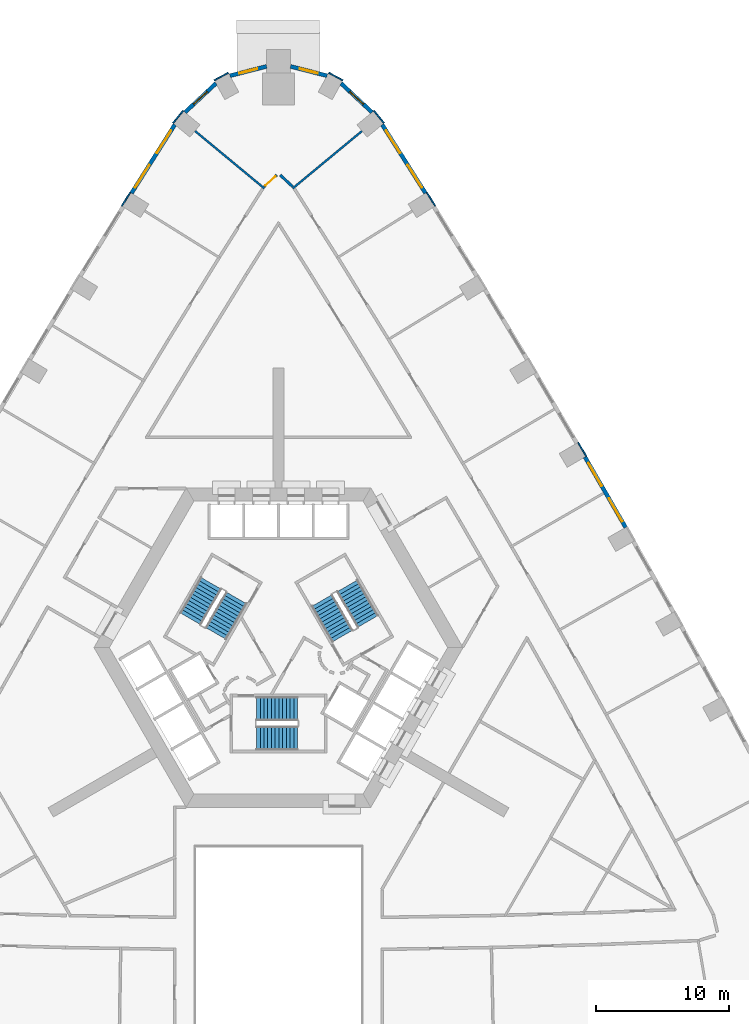
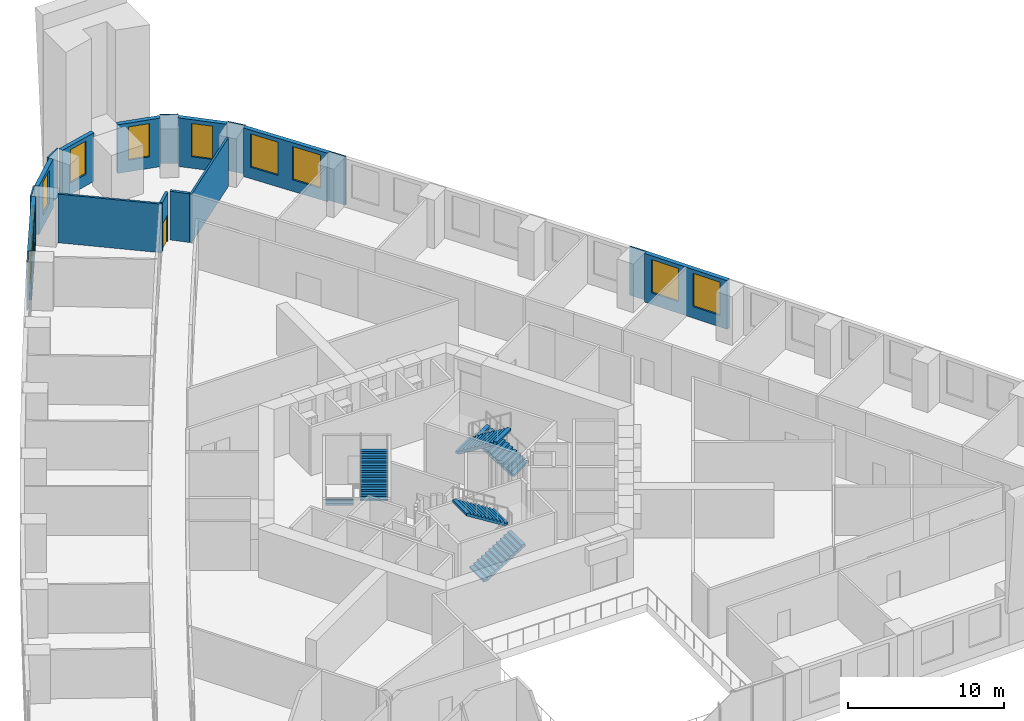
# One storey, part 12 of 15: 18 walls, 10 windows, 6 stair flights, 1 door, 11 openings, 3 elements without a shape of their own.
"""IFC4 building model written with IfcOpenShell, lengths in metres."""

from ifc_helpers import new_model, si_unit, direction, frame, frame_2d, origin, place, context, subcontext, project, spatial, polyline, rectangle, outline, extrude, material, layer, layer_set, type_object, element, fill, aggregate, save


model = new_model("IFC4")

# Units and contexts
model_context = context("Model", 3, precision=1e-05, world=origin(), true_north=direction((0.0, 1.0)))
body_context = subcontext(model_context, "Body", "Model", "MODEL_VIEW")
ifc_project = project(units=[si_unit("LENGTHUNIT", "METRE"), si_unit("AREAUNIT", "SQUARE_METRE"), si_unit("VOLUMEUNIT", "CUBIC_METRE"), si_unit("PLANEANGLEUNIT", "RADIAN"), si_unit("MASSUNIT", "GRAM", prefix="KILO")], contexts=[model_context])

# Site, building, storey
site_placement = place(None, origin())
site = spatial("IfcSite", under=ifc_project, at=site_placement, CompositionType="ELEMENT")
building_placement = place(site_placement, origin())
building = spatial("IfcBuilding", under=site, at=building_placement, Name="Entoto Arch Interchange Tower", CompositionType="ELEMENT")
storey_placement = place(building_placement, frame((0.0, 0.0, 35.0)))
storey = spatial("IfcBuildingStorey", under=building, at=storey_placement, Name="L06", CompositionType="ELEMENT", Elevation=35.0)

# Walls
ifc_material_1 = material(Name="Gypsum board partition on steel studs", Category="steel")
ifc_layer_1 = layer(ifc_material_1, 0.14990234375)
ifc_layer_set_1 = layer_set([ifc_layer_1], Name="Gypsum board partition on steel studs")
wall_type_1 = type_object("IfcWallType", Name="PARTITION 150", PredefinedType="PARTITIONING", material=ifc_layer_set_1)
for number, where, z_axis, x_axis, name in (
    (1, (1.06005859375, 36.97998046875, 0.0), (0.0, 0.0, 1.0), (0.770307911054, 0.6376721118, 0.0), "wall:L06:p135"),
    (2, (-1.06005859375, 36.97998046875, 0.0), (0.0, 0.0, 1.0), (-0.770307911054, 0.6376721118, 0.0), "wall:L06:p136"),
):
    element("IfcWall", number, at=place(storey_placement, frame(where, z_axis=z_axis, x_axis=x_axis)), inside=storey, type_object=wall_type_1, Name=name, PredefinedType="PARTITIONING", context=body_context, shape_type="SweptSolid", body=[
        extrude(rectangle(XDim=6.748046875, YDim=0.14990234375, at=frame_2d((3.3740234375, 0.0))), origin(), (0.0, 0.0, 1.0), 3.800048828125),
    ])

# Wall, opening, door
ifc_layer_2 = layer(ifc_material_1, 0.199951171875)
ifc_layer_set_2 = layer_set([ifc_layer_2], Name="Gypsum board partition on steel studs")
wall_type_2 = type_object("IfcWallType", Name="PARTITION 200", PredefinedType="PARTITIONING", material=ifc_layer_set_2)
wall_1_placement = place(storey_placement, frame((-1.06396484375, 37.112060546875, 0.0), z_axis=(0.0, 0.0, 1.0), x_axis=(0.730320833825, 0.683104296342, 0.0)))
wall_1 = element("IfcWall", 3, at=wall_1_placement, inside=storey, type_object=wall_type_2, Name="wall:L06:p053", PredefinedType="PARTITIONING", context=body_context, shape_type="SweptSolid", body=[
    extrude(rectangle(XDim=1.27197265625, YDim=0.199951171875, at=frame_2d((0.635986328125, 0.0))), origin(), (0.0, 0.0, 1.0), 3.800048828125),
])
opening_1_placement = place(wall_1_placement, frame((0.135986328125, 0.0, 0.0)))
opening_1 = element("IfcOpeningElement", 4, at=opening_1_placement, cuts=wall_1, Name="Opening L06-D11", PredefinedType="OPENING", context=body_context, shape_type="SweptSolid", body=[
    extrude(rectangle(XDim=1.0, YDim=2.10009765625, at=frame_2d((0.5, 1.050048828125))), frame((0.0, 0.10986328125, 0.0), z_axis=(0.0, -1.0, 0.0), x_axis=(1.0, 0.0, 0.0)), (0.0, 0.0, 1.0), 0.219970703125),
])
ifc_material_2 = material(Name="Timber door leaf in Steel S235 frame", Category="steel")
door_type = type_object("IfcDoorType", Name="DOOR DS-10 1000x2100", OperationType="SINGLE_SWING_LEFT", PredefinedType="DOOR", material=ifc_material_2)
door_placement = place(opening_1_placement, origin())
door = element("IfcDoor", 5, at=door_placement, inside=storey, type_object=door_type, Name="door:L06:11", OperationType="SINGLE_SWING_RIGHT", OverallHeight=2.10009765625, OverallWidth=1.0, PredefinedType="DOOR", context=body_context, shape_type="SweptSolid", body=[
    extrude(rectangle(XDim=1.0, YDim=2.10009765625, at=frame_2d((0.5, 1.050048828125))), frame((0.0, 0.02490234375, 0.0), z_axis=(0.0, -1.0, 0.0), x_axis=(1.0, 0.0, 0.0)), (0.0, 0.0, 1.0), 0.050048828125),
])
fill(opening_1, door)

# Wall
wall_2_placement = place(storey_placement, frame((0.135009765625, 37.98095703125, 0.0), z_axis=(0.0, 0.0, 1.0), x_axis=(0.730320833825, -0.683104296342, 0.0)))
element("IfcWall", 6, at=wall_2_placement, inside=storey, type_object=wall_type_2, Name="wall:L06:p054", PredefinedType="PARTITIONING", context=body_context, shape_type="SweptSolid", body=[
    extrude(rectangle(XDim=1.27197265625, YDim=0.199951171875, at=frame_2d((0.635986328125, 0.0))), origin(), (0.0, 0.0, 1.0), 3.800048828125),
])

# Wall, openings, windows
ifc_material_3 = material(Name="Welded tuff (ignimbrite) cladding, warm buff", Category="masonry")
ifc_layer_3 = layer(ifc_material_3, 0.300048828125)
ifc_layer_set_3 = layer_set([ifc_layer_3], Name="Welded tuff (ignimbrite) cladding, warm buff")
wall_type_3 = type_object("IfcWallType", Name="STONE INFILL WALL 300", PredefinedType="STANDARD", material=ifc_layer_set_3)
wall_3_placement = place(storey_placement, frame((26.072998046875, 11.52197265625, 0.0), z_axis=(0.0, 0.0, 1.0), x_axis=(-0.499976985038, 0.866038691071, 0.0)))
wall_3 = element("IfcWall", 7, at=wall_3_placement, inside=storey, type_object=wall_type_3, Name="Facade wall NE-05 L06", PredefinedType="STANDARD", context=body_context, shape_type="SweptSolid", body=[
    extrude(rectangle(XDim=6.116455078125, YDim=0.300048828125, at=frame_2d((3.05810546875, 0.0))), origin(), (0.0, 0.0, 1.0), 3.800048828125),
])
opening_2_placement = place(wall_3_placement, frame((0.529052734375, 0.0, 0.89990234375)))
opening_2 = element("IfcOpeningElement", 8, at=opening_2_placement, cuts=wall_3, Name="Opening WO-C", PredefinedType="OPENING", context=body_context, shape_type="SweptSolid", body=[
    extrude(rectangle(XDim=2.0, YDim=2.60009765625, at=frame_2d((1.0, 1.300048828125))), frame((0.0, 0.16015625, 0.0), z_axis=(0.0, -1.0, 0.0), x_axis=(1.0, 0.0, 0.0)), (0.0, 0.0, 1.0), 0.320068359375),
])
opening_3_placement = place(wall_3_placement, frame((3.5869140625, 0.0, 0.89990234375)))
opening_3 = element("IfcOpeningElement", 9, at=opening_3_placement, cuts=wall_3, Name="Opening WO-C", PredefinedType="OPENING", context=body_context, shape_type="SweptSolid", body=[
    extrude(rectangle(XDim=2.0, YDim=2.60009765625, at=frame_2d((1.0, 1.300048828125))), frame((0.0, 0.16015625, 0.0), z_axis=(0.0, -1.0, 0.0), x_axis=(1.0, 0.0, 0.0)), (0.0, 0.0, 1.0), 0.320068359375),
])
ifc_material_4 = material(Name="Clear glass, low-e double glazed", Category="glass")
window_type_1 = type_object("IfcWindowType", Name="WINDOW WO-C 2000x2600", PartitioningType="DOUBLE_PANEL_VERTICAL", PredefinedType="WINDOW", material=ifc_material_4)
window_1_placement = place(opening_2_placement, origin())
window_1 = element("IfcWindow", 10, at=window_1_placement, inside=storey, type_object=window_type_1, Name="Window WO-C NE-05 L06", OverallHeight=2.60009765625, OverallWidth=2.0, PartitioningType="SINGLE_PANEL", PredefinedType="WINDOW", context=body_context, shape_type="SweptSolid", body=[
    extrude(rectangle(XDim=2.0, YDim=2.60009765625, at=frame_2d((1.0, 1.300048828125))), frame((0.0, 0.030029296875, 0.0), z_axis=(0.0, -1.0, 0.0), x_axis=(1.0, 0.0, 0.0)), (0.0, 0.0, 1.0), 0.06005859375),
])
fill(opening_2, window_1)
window_2_placement = place(opening_3_placement, origin())
window_2 = element("IfcWindow", 11, at=window_2_placement, inside=storey, type_object=window_type_1, Name="Window WO-C NE-05 L06", OverallHeight=2.60009765625, OverallWidth=2.0, PartitioningType="SINGLE_PANEL", PredefinedType="WINDOW", context=body_context, shape_type="SweptSolid", body=[
    extrude(rectangle(XDim=2.0, YDim=2.60009765625, at=frame_2d((1.0, 1.300048828125))), frame((0.0, 0.030029296875, 0.0), z_axis=(0.0, -1.0, 0.0), x_axis=(1.0, 0.0, 0.0)), (0.0, 0.0, 1.0), 0.06005859375),
])
fill(opening_3, window_2)

wall_4_placement = place(storey_placement, frame((11.044921875, 36.623046875, 0.0), z_axis=(0.0, 0.0, 1.0), x_axis=(-0.53437888117, 0.845245059944, 0.0)))
wall_4 = element("IfcWall", 12, at=wall_4_placement, inside=storey, type_object=wall_type_3, Name="Facade wall NE-09 L06", PredefinedType="STANDARD", context=body_context, shape_type="SweptSolid", body=[
    extrude(rectangle(XDim=6.0927734375, YDim=0.300048828125, at=frame_2d((3.04638671875, 0.0))), origin(), (0.0, 0.0, 1.0), 3.800048828125),
])
opening_4_placement = place(wall_4_placement, frame((0.52294921875, 0.0, 0.89990234375)))
opening_4 = element("IfcOpeningElement", 13, at=opening_4_placement, cuts=wall_4, Name="Opening WO-C", PredefinedType="OPENING", context=body_context, shape_type="SweptSolid", body=[
    extrude(rectangle(XDim=2.0, YDim=2.60009765625, at=frame_2d((1.0, 1.300048828125))), frame((0.0, 0.16015625, 0.0), z_axis=(0.0, -1.0, 0.0), x_axis=(1.0, 0.0, 0.0)), (0.0, 0.0, 1.0), 0.320068359375),
])
opening_5_placement = place(wall_4_placement, frame((3.570068359375, 0.0, 0.89990234375)))
opening_5 = element("IfcOpeningElement", 14, at=opening_5_placement, cuts=wall_4, Name="Opening WO-C", PredefinedType="OPENING", context=body_context, shape_type="SweptSolid", body=[
    extrude(rectangle(XDim=2.0, YDim=2.60009765625, at=frame_2d((1.0, 1.300048828125))), frame((0.0, 0.16015625, 0.0), z_axis=(0.0, -1.0, 0.0), x_axis=(1.0, 0.0, 0.0)), (0.0, 0.0, 1.0), 0.320068359375),
])
window_3_placement = place(opening_4_placement, origin())
window_3 = element("IfcWindow", 15, at=window_3_placement, inside=storey, type_object=window_type_1, Name="Window WO-C NE-09 L06", OverallHeight=2.60009765625, OverallWidth=2.0, PartitioningType="SINGLE_PANEL", PredefinedType="WINDOW", context=body_context, shape_type="SweptSolid", body=[
    extrude(rectangle(XDim=2.0, YDim=2.60009765625, at=frame_2d((1.0, 1.300048828125))), frame((0.0, 0.030029296875, 0.0), z_axis=(0.0, -1.0, 0.0), x_axis=(1.0, 0.0, 0.0)), (0.0, 0.0, 1.0), 0.06005859375),
])
fill(opening_4, window_3)
window_4_placement = place(opening_5_placement, origin())
window_4 = element("IfcWindow", 16, at=window_4_placement, inside=storey, type_object=window_type_1, Name="Window WO-C NE-09 L06", OverallHeight=2.60009765625, OverallWidth=2.0, PartitioningType="SINGLE_PANEL", PredefinedType="WINDOW", context=body_context, shape_type="SweptSolid", body=[
    extrude(rectangle(XDim=2.0, YDim=2.60009765625, at=frame_2d((1.0, 1.300048828125))), frame((0.0, 0.030029296875, 0.0), z_axis=(0.0, -1.0, 0.0), x_axis=(1.0, 0.0, 0.0)), (0.0, 0.0, 1.0), 0.06005859375),
])
fill(opening_5, window_4)

# Wall, opening, window
wall_5_placement = place(storey_placement, frame((7.02490234375, 42.696044921875, 0.0), z_axis=(0.0, 0.0, 1.0), x_axis=(-0.730600984463, 0.682804658377, 0.0)))
wall_5 = element("IfcWall", 17, at=wall_5_placement, inside=storey, type_object=wall_type_3, Name="Facade wall N-01 L06", PredefinedType="STANDARD", context=body_context, shape_type="SweptSolid", body=[
    extrude(rectangle(XDim=3.18212890625, YDim=0.300048828125, at=frame_2d((1.591064453125, 0.0))), origin(), (0.0, 0.0, 1.0), 3.800048828125),
])
opening_6_placement = place(wall_5_placement, frame((0.89111328125, 0.0, 0.89990234375)))
opening_6 = element("IfcOpeningElement", 18, at=opening_6_placement, cuts=wall_5, Name="Opening WO-B", PredefinedType="OPENING", context=body_context, shape_type="SweptSolid", body=[
    extrude(rectangle(XDim=1.39990234375, YDim=2.60009765625, at=frame_2d((0.699951171875, 1.300048828125))), frame((0.0, 0.16015625, 0.0), z_axis=(0.0, -1.0, 0.0), x_axis=(1.0, 0.0, 0.0)), (0.0, 0.0, 1.0), 0.320068359375),
])
window_type_2 = type_object("IfcWindowType", Name="WINDOW WO-B 1400x2600", PartitioningType="DOUBLE_PANEL_VERTICAL", PredefinedType="WINDOW", material=ifc_material_4)
window_5_placement = place(opening_6_placement, origin())
window_5 = element("IfcWindow", 19, at=window_5_placement, inside=storey, type_object=window_type_2, Name="Window WO-B N-01 L06", OverallHeight=2.60009765625, OverallWidth=1.39990234375, PartitioningType="SINGLE_PANEL", PredefinedType="WINDOW", context=body_context, shape_type="SweptSolid", body=[
    extrude(rectangle(XDim=1.39990234375, YDim=2.60009765625, at=frame_2d((0.699951171875, 1.300048828125))), frame((0.0, 0.030029296875, 0.0), z_axis=(0.0, -1.0, 0.0), x_axis=(1.0, 0.0, 0.0)), (0.0, 0.0, 1.0), 0.06005859375),
])
fill(opening_6, window_5)

wall_6_placement = place(storey_placement, frame((3.64990234375, 45.444091796875, 0.0), z_axis=(0.0, 0.0, 1.0), x_axis=(-0.96879262207, 0.247872659694, 0.0)))
wall_6 = element("IfcWall", 20, at=wall_6_placement, inside=storey, type_object=wall_type_3, Name="Facade wall N-02 L06", PredefinedType="STANDARD", context=body_context, shape_type="SweptSolid", body=[
    extrude(rectangle(XDim=2.839599609375, YDim=0.300048828125, at=frame_2d((1.419921875, 0.0))), origin(), (0.0, 0.0, 1.0), 3.800048828125),
])
opening_7_placement = place(wall_6_placement, frame((0.719970703125, 0.0, 0.89990234375)))
opening_7 = element("IfcOpeningElement", 21, at=opening_7_placement, cuts=wall_6, Name="Opening WO-B", PredefinedType="OPENING", context=body_context, shape_type="SweptSolid", body=[
    extrude(rectangle(XDim=1.39990234375, YDim=2.60009765625, at=frame_2d((0.699951171875, 1.300048828125))), frame((0.0, 0.16015625, 0.0), z_axis=(0.0, -1.0, 0.0), x_axis=(1.0, 0.0, 0.0)), (0.0, 0.0, 1.0), 0.320068359375),
])
window_6_placement = place(opening_7_placement, origin())
window_6 = element("IfcWindow", 22, at=window_6_placement, inside=storey, type_object=window_type_2, Name="Window WO-B N-02 L06", OverallHeight=2.60009765625, OverallWidth=1.39990234375, PartitioningType="SINGLE_PANEL", PredefinedType="WINDOW", context=body_context, shape_type="SweptSolid", body=[
    extrude(rectangle(XDim=1.39990234375, YDim=2.60009765625, at=frame_2d((0.699951171875, 1.300048828125))), frame((0.0, 0.030029296875, 0.0), z_axis=(0.0, -1.0, 0.0), x_axis=(1.0, 0.0, 0.0)), (0.0, 0.0, 1.0), 0.06005859375),
])
fill(opening_7, window_6)

wall_7_placement = place(storey_placement, frame((-0.89892578125, 46.14794921875, 0.0), z_axis=(0.0, 0.0, 1.0), x_axis=(-0.96879262207, -0.247872659694, 0.0)))
wall_7 = element("IfcWall", 23, at=wall_7_placement, inside=storey, type_object=wall_type_3, Name="Facade wall N-03 L06", PredefinedType="STANDARD", context=body_context, shape_type="SweptSolid", body=[
    extrude(rectangle(XDim=2.839599609375, YDim=0.300048828125, at=frame_2d((1.419921875, 0.0))), origin(), (0.0, 0.0, 1.0), 3.800048828125),
])
opening_8_placement = place(wall_7_placement, frame((0.719970703125, 0.0, 0.89990234375)))
opening_8 = element("IfcOpeningElement", 24, at=opening_8_placement, cuts=wall_7, Name="Opening WO-B", PredefinedType="OPENING", context=body_context, shape_type="SweptSolid", body=[
    extrude(rectangle(XDim=1.39990234375, YDim=2.60009765625, at=frame_2d((0.699951171875, 1.300048828125))), frame((0.0, 0.16015625, 0.0), z_axis=(0.0, -1.0, 0.0), x_axis=(1.0, 0.0, 0.0)), (0.0, 0.0, 1.0), 0.320068359375),
])
window_7_placement = place(opening_8_placement, origin())
window_7 = element("IfcWindow", 25, at=window_7_placement, inside=storey, type_object=window_type_2, Name="Window WO-B N-03 L06", OverallHeight=2.60009765625, OverallWidth=1.39990234375, PartitioningType="SINGLE_PANEL", PredefinedType="WINDOW", context=body_context, shape_type="SweptSolid", body=[
    extrude(rectangle(XDim=1.39990234375, YDim=2.60009765625, at=frame_2d((0.699951171875, 1.300048828125))), frame((0.0, 0.030029296875, 0.0), z_axis=(0.0, -1.0, 0.0), x_axis=(1.0, 0.0, 0.0)), (0.0, 0.0, 1.0), 0.06005859375),
])
fill(opening_8, window_7)

wall_8_placement = place(storey_placement, frame((-4.699951171875, 44.868896484375, 0.0), z_axis=(0.0, 0.0, 1.0), x_axis=(-0.730600984463, -0.682804658377, 0.0)))
wall_8 = element("IfcWall", 26, at=wall_8_placement, inside=storey, type_object=wall_type_3, Name="Facade wall N-04 L06", PredefinedType="STANDARD", context=body_context, shape_type="SweptSolid", body=[
    extrude(rectangle(XDim=3.18212890625, YDim=0.300048828125, at=frame_2d((1.591064453125, 0.0))), origin(), (0.0, 0.0, 1.0), 3.800048828125),
])
opening_9_placement = place(wall_8_placement, frame((0.89111328125, 0.0, 0.89990234375)))
opening_9 = element("IfcOpeningElement", 27, at=opening_9_placement, cuts=wall_8, Name="Opening WO-B", PredefinedType="OPENING", context=body_context, shape_type="SweptSolid", body=[
    extrude(rectangle(XDim=1.39990234375, YDim=2.60009765625, at=frame_2d((0.699951171875, 1.300048828125))), frame((0.0, 0.16015625, 0.0), z_axis=(0.0, -1.0, 0.0), x_axis=(1.0, 0.0, 0.0)), (0.0, 0.0, 1.0), 0.320068359375),
])
window_8_placement = place(opening_9_placement, origin())
window_8 = element("IfcWindow", 28, at=window_8_placement, inside=storey, type_object=window_type_2, Name="Window WO-B N-04 L06", OverallHeight=2.60009765625, OverallWidth=1.39990234375, PartitioningType="SINGLE_PANEL", PredefinedType="WINDOW", context=body_context, shape_type="SweptSolid", body=[
    extrude(rectangle(XDim=1.39990234375, YDim=2.60009765625, at=frame_2d((0.699951171875, 1.300048828125))), frame((0.0, 0.030029296875, 0.0), z_axis=(0.0, -1.0, 0.0), x_axis=(1.0, 0.0, 0.0)), (0.0, 0.0, 1.0), 0.06005859375),
])
fill(opening_9, window_8)

# Wall, openings, windows
wall_9_placement = place(storey_placement, frame((-7.7890625, 41.77294921875, 0.0), z_axis=(0.0, 0.0, 1.0), x_axis=(-0.53437888117, -0.845245059944, 0.0)))
wall_9 = element("IfcWall", 29, at=wall_9_placement, inside=storey, type_object=wall_type_3, Name="Facade wall NW-01 L06", PredefinedType="STANDARD", context=body_context, shape_type="SweptSolid", body=[
    extrude(rectangle(XDim=6.0927734375, YDim=0.300048828125, at=frame_2d((3.04638671875, 0.0))), origin(), (0.0, 0.0, 1.0), 3.800048828125),
])
opening_10_placement = place(wall_9_placement, frame((0.52294921875, 0.0, 0.89990234375)))
opening_10 = element("IfcOpeningElement", 30, at=opening_10_placement, cuts=wall_9, Name="Opening WO-C", PredefinedType="OPENING", context=body_context, shape_type="SweptSolid", body=[
    extrude(rectangle(XDim=2.0, YDim=2.60009765625, at=frame_2d((1.0, 1.300048828125))), frame((0.0, 0.16015625, 0.0), z_axis=(0.0, -1.0, 0.0), x_axis=(1.0, 0.0, 0.0)), (0.0, 0.0, 1.0), 0.320068359375),
])
opening_11_placement = place(wall_9_placement, frame((3.570068359375, 0.0, 0.89990234375)))
opening_11 = element("IfcOpeningElement", 31, at=opening_11_placement, cuts=wall_9, Name="Opening WO-C", PredefinedType="OPENING", context=body_context, shape_type="SweptSolid", body=[
    extrude(rectangle(XDim=2.0, YDim=2.60009765625, at=frame_2d((1.0, 1.300048828125))), frame((0.0, 0.16015625, 0.0), z_axis=(0.0, -1.0, 0.0), x_axis=(1.0, 0.0, 0.0)), (0.0, 0.0, 1.0), 0.320068359375),
])
window_9_placement = place(opening_10_placement, origin())
window_9 = element("IfcWindow", 32, at=window_9_placement, inside=storey, type_object=window_type_1, Name="Window WO-C NW-01 L06", OverallHeight=2.60009765625, OverallWidth=2.0, PartitioningType="SINGLE_PANEL", PredefinedType="WINDOW", context=body_context, shape_type="SweptSolid", body=[
    extrude(rectangle(XDim=2.0, YDim=2.60009765625, at=frame_2d((1.0, 1.300048828125))), frame((0.0, 0.030029296875, 0.0), z_axis=(0.0, -1.0, 0.0), x_axis=(1.0, 0.0, 0.0)), (0.0, 0.0, 1.0), 0.06005859375),
])
fill(opening_10, window_9)
window_10_placement = place(opening_11_placement, origin())
window_10 = element("IfcWindow", 33, at=window_10_placement, inside=storey, type_object=window_type_1, Name="Window WO-C NW-01 L06", OverallHeight=2.60009765625, OverallWidth=2.0, PartitioningType="SINGLE_PANEL", PredefinedType="WINDOW", context=body_context, shape_type="SweptSolid", body=[
    extrude(rectangle(XDim=2.0, YDim=2.60009765625, at=frame_2d((1.0, 1.300048828125))), frame((0.0, 0.030029296875, 0.0), z_axis=(0.0, -1.0, 0.0), x_axis=(1.0, 0.0, 0.0)), (0.0, 0.0, 1.0), 0.06005859375),
])
fill(opening_11, window_10)

# Walls
ifc_layer_4 = layer(ifc_material_3, 0.10009765625)
ifc_layer_set_4 = layer_set([ifc_layer_4], Name="Welded tuff (ignimbrite) cladding, warm buff")
wall_type_4 = type_object("IfcWallType", Name="STONE PIER CLADDING 100", PredefinedType="STANDARD", material=ifc_layer_set_4)
for number, where, z_axis, x_axis, name in (
    (34, (4.824951171875, 45.094970703125, 0.0), (0.0, 0.0, 1.0), (-0.877155474831, 0.480206489934, 0.0), "Stone pier N1 L06"),
    (35, (-3.77294921875, 45.6708984375, 0.0), (0.0, 0.0, 1.0), (-0.877155474831, -0.480206489934, 0.0), "Stone pier N3 L06"),
):
    element("IfcWall", number, at=place(storey_placement, frame(where, z_axis=z_axis, x_axis=x_axis)), inside=storey, type_object=wall_type_4, Name=name, PredefinedType="STANDARD", context=body_context, shape_type="SweptSolid", body=[
        extrude(rectangle(XDim=1.19921875, YDim=0.10009765625, at=frame_2d((0.599609375, 0.0))), origin(), (0.0, 0.0, 1.0), 3.800048828125),
    ])
wall_10_placement = place(storey_placement, frame((23.10400390625, 16.8701171875, 0.0), z_axis=(0.0, 0.0, 1.0), x_axis=(-0.504313844903, 0.863520437418, 0.0)))
element("IfcWall", 36, at=wall_10_placement, inside=storey, type_object=wall_type_4, Name="Stone pier NE06 L06", PredefinedType="STANDARD", context=body_context, shape_type="SweptSolid", body=[
    extrude(rectangle(XDim=1.19970703125, YDim=0.10009765625, at=frame_2d((0.599853515625, 0.0))), origin(), (0.0, 0.0, 1.0), 3.800048828125),
])
for number, where, z_axis, x_axis, name in (
    (37, (11.76806640625, 35.660888671875, 0.0), (0.0, 0.0, 1.0), (-0.53018187123, 0.847883944546, 0.0), "Stone pier NE09 L06"),
    (38, (7.927001953125, 41.885986328125, 0.0), (0.0, 0.0, 1.0), (-0.637638520791, 0.770335716947, 0.0), "Stone pier NE10 L06"),
    (39, (-7.162109375, 42.81005859375, 0.0), (0.0, 0.0, 1.0), (-0.637638520791, -0.770335716947, 0.0), "Stone pier NW01 L06"),
    (40, (-11.132080078125, 36.677978515625, 0.0), (0.0, 0.0, 1.0), (-0.53018187123, -0.847883944546, 0.0), "Stone pier NW02 L06"),
):
    element("IfcWall", number, at=place(storey_placement, frame(where, z_axis=z_axis, x_axis=x_axis)), inside=storey, type_object=wall_type_4, Name=name, PredefinedType="STANDARD", context=body_context, shape_type="SweptSolid", body=[
        extrude(rectangle(XDim=1.199462890625, YDim=0.10009765625, at=frame_2d((0.599609375, 0.0))), origin(), (0.0, 0.0, 1.0), 3.800048828125),
    ])

# Stair, stair flights
ifc_material_5 = material(Name="Concrete C40/50", Category="concrete")
stair_type = type_object("IfcStairType", Name="EXIT STAIR RC 1800", PredefinedType="HALF_TURN_STAIR", material=ifc_material_5)
stair_1_placement = place(storey_placement, origin())
stair_1 = element("IfcStair", 41, at=stair_1_placement, inside=storey, type_object=stair_type, Name="L06 Exit stair S", PredefinedType="HALF_TURN_STAIR")
stair_flight_type = type_object("IfcStairFlightType", Name="EXIT STAIR FLIGHT RC 1800", PredefinedType="STRAIGHT", material=ifc_material_5)
stair_flight_1_placement = place(storey_placement, frame((-1.64990234375, -4.300048828125, 0.0), z_axis=(0.0, 0.0, 1.0), x_axis=(1.0, 0.0, 0.0)))
stair_flight_1 = element("IfcStairFlight", 42, at=stair_flight_1_placement, type_object=stair_flight_type, Name="ST-S flight 1", NumberOfRisers=12, NumberOfTreads=11, PredefinedType="STRAIGHT", RiserHeight=0.175, TreadLength=0.28, context=body_context, shape_type="SweptSolid", body=[
    extrude(outline(polyline([(-0.0029296875, 0.0), (-0.0029296875, 0.175048828125), (0.280029296875, 0.175048828125), (0.280029296875, 0.35009765625), (0.56005859375, 0.35009765625), (0.56005859375, 0.52490234375), (0.840087890625, 0.52490234375), (0.840087890625, 0.699951171875), (1.1201171875, 0.699951171875), (1.1201171875, 0.875), (1.39990234375, 0.875), (1.39990234375, 1.050048828125), (1.679931640625, 1.050048828125), (1.679931640625, 1.22509765625), (1.9599609375, 1.22509765625), (1.9599609375, 1.39990234375), (2.239990234375, 1.39990234375), (2.239990234375, 1.574951171875), (2.52001953125, 1.574951171875), (2.52001953125, 1.75), (2.800048828125, 1.75), (2.800048828125, 1.925048828125), (3.080078125, 1.925048828125), (3.0830078125, 1.925048828125), (3.0830078125, 1.75), (0.28271484375, 0.0), (-0.0029296875, 0.0)])), frame((0.0, 0.89990234375, 0.0), z_axis=(0.0, -1.0, 0.0), x_axis=(1.0, 0.0, 0.0)), (0.0, 0.0, 1.0), 1.800048828125),
])
stair_flight_2_placement = place(storey_placement, frame((1.429931640625, -2.10009765625, 2.10009765625), z_axis=(0.0, 0.0, 1.0), x_axis=(-1.0, 0.0, 0.0)))
stair_flight_2 = element("IfcStairFlight", 43, at=stair_flight_2_placement, type_object=stair_flight_type, Name="ST-S flight 2", NumberOfRisers=12, NumberOfTreads=11, PredefinedType="STRAIGHT", RiserHeight=0.175, TreadLength=0.28, context=body_context, shape_type="SweptSolid", body=[
    extrude(outline(polyline([(-0.0029296875, 0.0), (-0.0029296875, 0.175048828125), (0.280029296875, 0.175048828125), (0.280029296875, 0.35009765625), (0.56005859375, 0.35009765625), (0.56005859375, 0.52490234375), (0.840087890625, 0.52490234375), (0.840087890625, 0.699951171875), (1.1201171875, 0.699951171875), (1.1201171875, 0.875), (1.39990234375, 0.875), (1.39990234375, 1.050048828125), (1.679931640625, 1.050048828125), (1.679931640625, 1.22509765625), (1.9599609375, 1.22509765625), (1.9599609375, 1.39990234375), (2.239990234375, 1.39990234375), (2.239990234375, 1.574951171875), (2.52001953125, 1.574951171875), (2.52001953125, 1.75), (2.800048828125, 1.75), (2.800048828125, 1.925048828125), (3.080078125, 1.925048828125), (3.0830078125, 1.925048828125), (3.0830078125, 1.75), (0.28271484375, 0.0), (-0.0029296875, 0.0)])), frame((0.0, 0.89990234375, 0.0), z_axis=(0.0, -1.0, 0.0), x_axis=(1.0, 0.0, 0.0)), (0.0, 0.0, 1.0), 1.800048828125),
])
aggregate(stair_1, [stair_flight_1, stair_flight_2])

stair_2_placement = place(storey_placement, origin())
stair_2 = element("IfcStair", 44, at=stair_2_placement, inside=storey, type_object=stair_type, Name="L06 Exit stair NE", PredefinedType="HALF_TURN_STAIR")
stair_flight_3_placement = place(storey_placement, frame((6.7138671875, 4.470947265625, 0.0), z_axis=(0.0, 0.0, 1.0), x_axis=(-0.5, 0.866025403784, 0.0)))
stair_flight_3 = element("IfcStairFlight", 45, at=stair_flight_3_placement, type_object=stair_flight_type, Name="ST-NE flight 1", NumberOfRisers=12, NumberOfTreads=11, PredefinedType="STRAIGHT", RiserHeight=0.175, TreadLength=0.28, context=body_context, shape_type="SweptSolid", body=[
    extrude(outline(polyline([(-0.0029296875, 0.0), (-0.0029296875, 0.175048828125), (0.280029296875, 0.175048828125), (0.280029296875, 0.35009765625), (0.56005859375, 0.35009765625), (0.56005859375, 0.52490234375), (0.840087890625, 0.52490234375), (0.840087890625, 0.699951171875), (1.1201171875, 0.699951171875), (1.1201171875, 0.875), (1.39990234375, 0.875), (1.39990234375, 1.050048828125), (1.679931640625, 1.050048828125), (1.679931640625, 1.22509765625), (1.9599609375, 1.22509765625), (1.9599609375, 1.39990234375), (2.239990234375, 1.39990234375), (2.239990234375, 1.574951171875), (2.52001953125, 1.574951171875), (2.52001953125, 1.75), (2.800048828125, 1.75), (2.800048828125, 1.925048828125), (3.080078125, 1.925048828125), (3.0830078125, 1.925048828125), (3.0830078125, 1.75), (0.28271484375, 0.0), (-0.0029296875, 0.0)])), frame((0.0, 0.89990234375, 0.0), z_axis=(0.0, -1.0, 0.0), x_axis=(1.0, 0.0, 0.0)), (0.0, 0.0, 1.0), 1.800048828125),
])
stair_flight_4_placement = place(storey_placement, frame((3.268798828125, 6.038330078125, 2.10009765625), z_axis=(0.0, 0.0, 1.0), x_axis=(0.5, -0.866025403784, 0.0)))
stair_flight_4 = element("IfcStairFlight", 46, at=stair_flight_4_placement, type_object=stair_flight_type, Name="ST-NE flight 2", NumberOfRisers=12, NumberOfTreads=11, PredefinedType="STRAIGHT", RiserHeight=0.175, TreadLength=0.28, context=body_context, shape_type="SweptSolid", body=[
    extrude(outline(polyline([(-0.0029296875, 0.0), (-0.0029296875, 0.175048828125), (0.280029296875, 0.175048828125), (0.280029296875, 0.35009765625), (0.56005859375, 0.35009765625), (0.56005859375, 0.52490234375), (0.840087890625, 0.52490234375), (0.840087890625, 0.699951171875), (1.1201171875, 0.699951171875), (1.1201171875, 0.875), (1.39990234375, 0.875), (1.39990234375, 1.050048828125), (1.679931640625, 1.050048828125), (1.679931640625, 1.22509765625), (1.9599609375, 1.22509765625), (1.9599609375, 1.39990234375), (2.239990234375, 1.39990234375), (2.239990234375, 1.574951171875), (2.52001953125, 1.574951171875), (2.52001953125, 1.75), (2.800048828125, 1.75), (2.800048828125, 1.925048828125), (3.080078125, 1.925048828125), (3.0830078125, 1.925048828125), (3.0830078125, 1.75), (0.28271484375, 0.0), (-0.0029296875, 0.0)])), frame((0.0, 0.89990234375, 0.0), z_axis=(0.0, -1.0, 0.0), x_axis=(1.0, 0.0, 0.0)), (0.0, 0.0, 1.0), 1.800048828125),
])
aggregate(stair_2, [stair_flight_3, stair_flight_4])

stair_3_placement = place(storey_placement, origin())
stair_3 = element("IfcStair", 47, at=stair_3_placement, inside=storey, type_object=stair_type, Name="L06 Exit stair NW", PredefinedType="HALF_TURN_STAIR")
stair_flight_5_placement = place(storey_placement, frame((-5.06396484375, 7.328857421875, 0.0), z_axis=(0.0, 0.0, 1.0), x_axis=(-0.5, -0.866025403784, 0.0)))
stair_flight_5 = element("IfcStairFlight", 48, at=stair_flight_5_placement, type_object=stair_flight_type, Name="ST-NW flight 1", NumberOfRisers=12, NumberOfTreads=11, PredefinedType="STRAIGHT", RiserHeight=0.175, TreadLength=0.28, context=body_context, shape_type="SweptSolid", body=[
    extrude(outline(polyline([(-0.0029296875, 0.0), (-0.0029296875, 0.175048828125), (0.280029296875, 0.175048828125), (0.280029296875, 0.35009765625), (0.56005859375, 0.35009765625), (0.56005859375, 0.52490234375), (0.840087890625, 0.52490234375), (0.840087890625, 0.699951171875), (1.1201171875, 0.699951171875), (1.1201171875, 0.875), (1.39990234375, 0.875), (1.39990234375, 1.050048828125), (1.679931640625, 1.050048828125), (1.679931640625, 1.22509765625), (1.9599609375, 1.22509765625), (1.9599609375, 1.39990234375), (2.239990234375, 1.39990234375), (2.239990234375, 1.574951171875), (2.52001953125, 1.574951171875), (2.52001953125, 1.75), (2.800048828125, 1.75), (2.800048828125, 1.925048828125), (3.080078125, 1.925048828125), (3.0830078125, 1.925048828125), (3.0830078125, 1.75), (0.28271484375, 0.0), (-0.0029296875, 0.0)])), frame((0.0, 0.89990234375, 0.0), z_axis=(0.0, -1.0, 0.0), x_axis=(1.0, 0.0, 0.0)), (0.0, 0.0, 1.0), 1.800048828125),
])
stair_flight_6_placement = place(storey_placement, frame((-4.69873046875, 3.5615234375, 2.10009765625), z_axis=(0.0, 0.0, 1.0), x_axis=(0.5, 0.866025403784, 0.0)))
stair_flight_6 = element("IfcStairFlight", 49, at=stair_flight_6_placement, type_object=stair_flight_type, Name="ST-NW flight 2", NumberOfRisers=12, NumberOfTreads=11, PredefinedType="STRAIGHT", RiserHeight=0.175, TreadLength=0.28, context=body_context, shape_type="SweptSolid", body=[
    extrude(outline(polyline([(-0.0029296875, 0.0), (-0.0029296875, 0.175048828125), (0.280029296875, 0.175048828125), (0.280029296875, 0.35009765625), (0.56005859375, 0.35009765625), (0.56005859375, 0.52490234375), (0.840087890625, 0.52490234375), (0.840087890625, 0.699951171875), (1.1201171875, 0.699951171875), (1.1201171875, 0.875), (1.39990234375, 0.875), (1.39990234375, 1.050048828125), (1.679931640625, 1.050048828125), (1.679931640625, 1.22509765625), (1.9599609375, 1.22509765625), (1.9599609375, 1.39990234375), (2.239990234375, 1.39990234375), (2.239990234375, 1.574951171875), (2.52001953125, 1.574951171875), (2.52001953125, 1.75), (2.800048828125, 1.75), (2.800048828125, 1.925048828125), (3.080078125, 1.925048828125), (3.0830078125, 1.925048828125), (3.0830078125, 1.75), (0.28271484375, 0.0), (-0.0029296875, 0.0)])), frame((0.0, 0.89990234375, 0.0), z_axis=(0.0, -1.0, 0.0), x_axis=(1.0, 0.0, 0.0)), (0.0, 0.0, 1.0), 1.800048828125),
])
aggregate(stair_3, [stair_flight_5, stair_flight_6])

save(model, "model.ifc")
